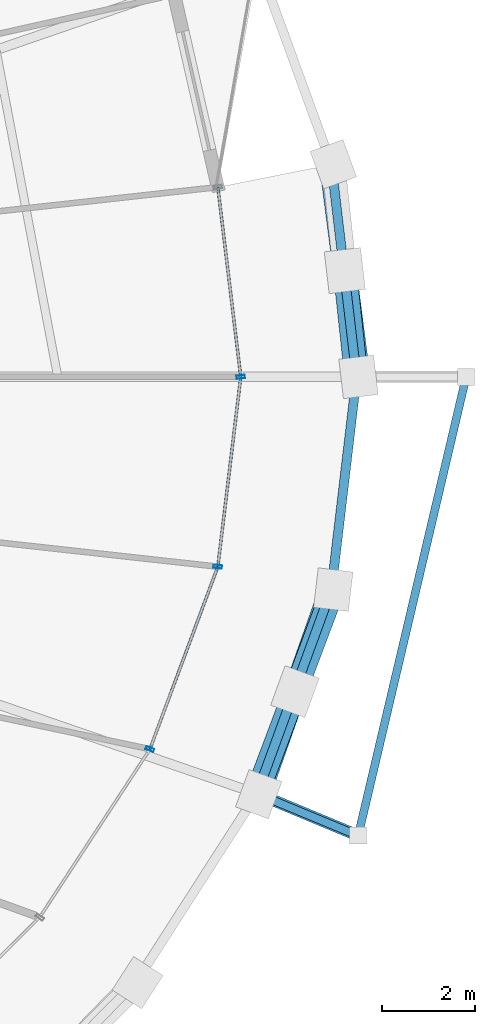
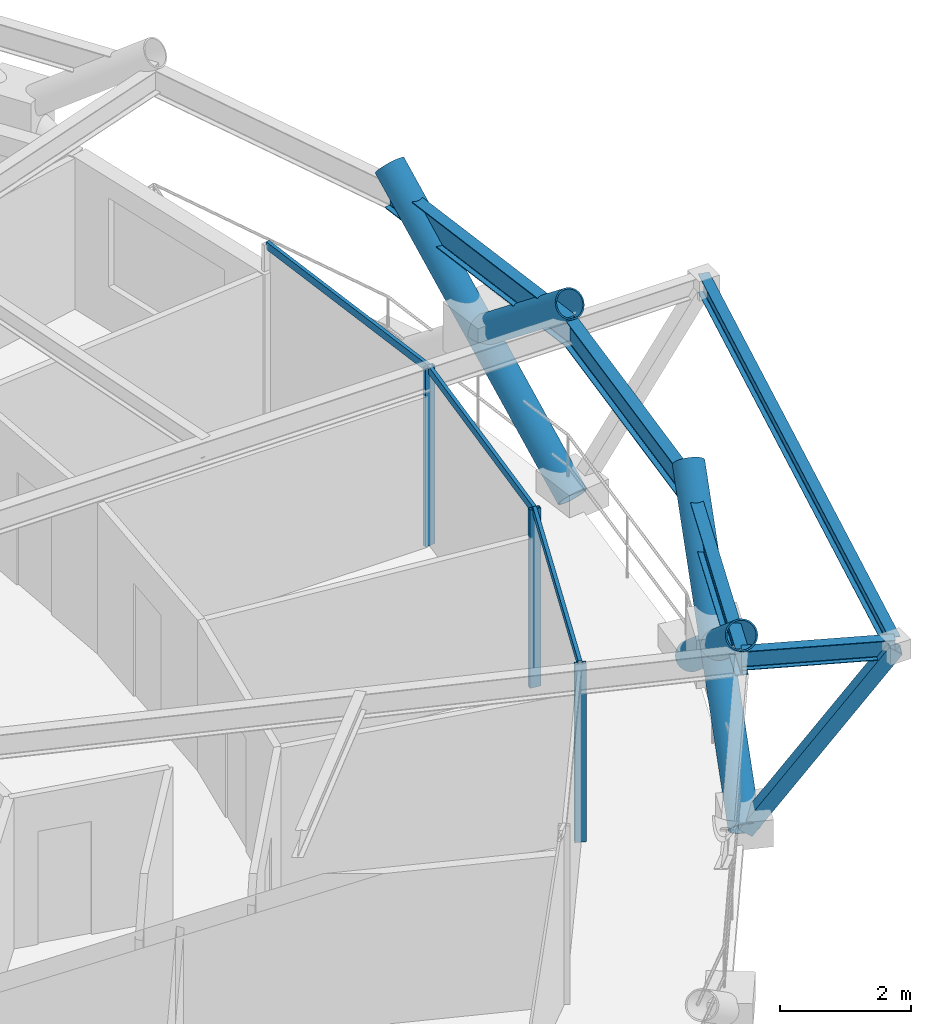
# One storey, part 10 of 20: 12 members, 5 beams, 1 element without a shape of its own.
"""IFC4 building model written with IfcOpenShell, lengths in metres."""

from ifc_helpers import new_model, si_unit, direction, frame, origin, origin_2d, place, context, subcontext, project, spatial, hollow_rectangle, hollow_circle, i_section, extrude, material, layer, layer_set, material_profile, profile_set, type_object, element, aggregate, save


model = new_model("IFC4")

# Units and contexts
model_context = context("Model", 3, precision=1e-05, world=origin(), true_north=direction((0.0, 1.0)))
body_context = subcontext(model_context, "Body", "Model", "MODEL_VIEW")
ifc_project = project(units=[si_unit("LENGTHUNIT", "METRE"), si_unit("AREAUNIT", "SQUARE_METRE"), si_unit("VOLUMEUNIT", "CUBIC_METRE"), si_unit("PLANEANGLEUNIT", "RADIAN"), si_unit("MASSUNIT", "GRAM", prefix="KILO")], contexts=[model_context])

# Site, building, storey
site_placement = place(None, origin())
site = spatial("IfcSite", under=ifc_project, at=site_placement, CompositionType="ELEMENT")
building_placement = place(site_placement, origin())
building = spatial("IfcBuilding", under=site, at=building_placement, Name="Veldorina Hangang Commons", CompositionType="ELEMENT")
storey_placement = place(building_placement, frame((0.0, 0.0, 171.199951171875)))
storey = spatial("IfcBuildingStorey", under=building, at=storey_placement, Name="L44", CompositionType="ELEMENT", Elevation=171.199951171875)

# Beams
ifc_material_1 = material(Name="Steel SM355-TMC", Category="steel")
ifc_material_profile_1 = material_profile(ifc_material_1, i_section(OverallWidth=0.175048828125, OverallDepth=0.35009765625, WebThickness=0.007080078125, FlangeThickness=0.010986328125, FilletRadius=0.012939453125, at=origin_2d()), Name="H-350x175x7x11")
ifc_profile_set_1 = profile_set([ifc_material_profile_1], Name="Steel SM355-TMC")
beam_type_1 = type_object("IfcBeamType", Name="BM-FG350", PredefinedType="BEAM", material=ifc_profile_set_1)
beam_1_placement = place(storey_placement, frame((57.86865234375, 15.08349609375, 3.175048828125), z_axis=(0.923864884479, -0.38271879393, 0.0), x_axis=(0.38271879393, 0.923864884479, 0.0)))
element("IfcBeam", 1, at=beam_1_placement, inside=storey, type_object=beam_type_1, Name="L45 tree balcony 2 bracket beam A", PredefinedType="BEAM", context=body_context, shape_type="SweptSolid", body=[
    extrude(i_section(OverallWidth=0.175048828125, OverallDepth=0.35009765625, WebThickness=0.007080078125, FlangeThickness=0.010986328125, FilletRadius=0.012939453125, at=origin_2d()), origin(), (0.0, 0.0, 1.0), 2.35009765625),
])
beam_2_placement = place(storey_placement, frame((60.039794921875, 14.18408203125, 3.175048828125), z_axis=(0.229102756478, 0.973402243152, 0.0), x_axis=(-0.973402243152, 0.229102756478, 0.0)))
element("IfcBeam", 2, at=beam_2_placement, inside=storey, type_object=beam_type_1, Name="L45 tree balcony 2 outer rim beam", PredefinedType="BEAM", context=body_context, shape_type="SweptSolid", body=[
    extrude(i_section(OverallWidth=0.175048828125, OverallDepth=0.35009765625, WebThickness=0.007080078125, FlangeThickness=0.010986328125, FilletRadius=0.012939453125, at=origin_2d()), origin(), (0.0, 0.0, 1.0), 10.084228515625),
])
ifc_material_2 = material(Name="Steel SM420-TMC", Category="steel")
ifc_material_profile_2 = material_profile(ifc_material_2, i_section(OverallWidth=0.199951171875, OverallDepth=0.5, WebThickness=0.010009765625, FlangeThickness=0.01611328125, FilletRadius=0.01611328125, at=origin_2d()), Name="H-500x200x10x16")
ifc_profile_set_2 = profile_set([ifc_material_profile_2], Name="Steel SM420-TMC")
beam_type_2 = type_object("IfcBeamType", Name="BM-RB500", PredefinedType="BEAM", material=ifc_profile_set_2)
beam_3_placement = place(storey_placement, frame((60.006591796875, 24.0, 3.10009765625), z_axis=(-0.117534297486, 0.993068823856, 0.0), x_axis=(-0.993068823856, -0.117534297486, 0.0)))
element("IfcBeam", 3, at=beam_3_placement, inside=storey, type_object=beam_type_2, Name="L44 perimeter hoop ring beam 00", PredefinedType="BEAM", context=body_context, shape_type="SweptSolid", body=[
    extrude(i_section(OverallWidth=0.199951171875, OverallDepth=0.5, WebThickness=0.010009765625, FlangeThickness=0.01611328125, FilletRadius=0.01611328125, at=origin_2d()), origin(), (0.0, 0.0, 1.0), 4.578125),
])
beam_4_placement = place(storey_placement, frame((57.874755859375, 15.081787109375, 3.10009765625), z_axis=(0.342501226622, 0.939517381299, 0.0), x_axis=(-0.939517381299, 0.342501226622, 0.0)))
element("IfcBeam", 4, at=beam_4_placement, inside=storey, type_object=beam_type_2, Name="L44 perimeter hoop ring beam 30", PredefinedType="BEAM", context=body_context, shape_type="SweptSolid", body=[
    extrude(i_section(OverallWidth=0.199951171875, OverallDepth=0.5, WebThickness=0.010009765625, FlangeThickness=0.01611328125, FilletRadius=0.01611328125, at=origin_2d()), origin(), (0.0, 0.0, 1.0), 4.6533203125),
])
beam_5_placement = place(storey_placement, frame((59.468505859375, 19.45361328125, 3.10009765625), z_axis=(0.117534297486, 0.993068823856, 0.0), x_axis=(-0.993068823856, 0.117534297486, 0.0)))
element("IfcBeam", 5, at=beam_5_placement, inside=storey, type_object=beam_type_2, Name="L44 perimeter hoop ring beam 31", PredefinedType="BEAM", context=body_context, shape_type="SweptSolid", body=[
    extrude(i_section(OverallWidth=0.199951171875, OverallDepth=0.5, WebThickness=0.010009765625, FlangeThickness=0.01611328125, FilletRadius=0.01611328125, at=origin_2d()), origin(), (0.0, 0.0, 1.0), 4.578125),
])

# Curtain wall, members
ifc_material_3 = material(Name="Glass Low-E Triple IGU", Category="glass")
ifc_layer = layer(ifc_material_3, 0.179931640625)
ifc_layer_set = layer_set([ifc_layer], Name="Glass Low-E Triple IGU")
curtain_wall_type = type_object("IfcCurtainWallType", Name="CW-SYS-Z2", PredefinedType="NOTDEFINED", material=ifc_layer_set)
curtain_wall_placement = place(storey_placement, origin())
curtain_wall = element("IfcCurtainWall", 6, at=curtain_wall_placement, inside=storey, type_object=curtain_wall_type, Name="L44 unitised curtain wall CW-L44-R2", PredefinedType="NOTDEFINED")
ifc_material_4 = material(Name="Aluminium Anodized AA6063-T6", Category="aluminium")
ifc_material_profile_3 = material_profile(ifc_material_4, hollow_rectangle(XDim=0.070068359375, YDim=0.179931640625, WallThickness=0.00390625, at=origin_2d()), Name="ALU-RHS-180x70x4")
ifc_profile_set_3 = profile_set([ifc_material_profile_3], Name="Aluminium Anodized AA6063-T6")
member_type_1 = type_object("IfcMemberType", Name="CW-MUL-180", PredefinedType="MULLION", material=ifc_profile_set_3)
member_1_placement = place(storey_placement, frame((55.584716796875, 16.034912109375, 0.0), z_axis=(0.0, 0.0, 1.0), x_axis=(0.348702913177, 0.937233310516, 0.0)))
member_1 = element("IfcMember", 7, at=member_1_placement, type_object=member_type_1, Name="CW-L44-R2 vertical mullion 3", PredefinedType="MULLION", context=body_context, shape_type="SweptSolid", body=[
    extrude(hollow_rectangle(XDim=0.070068359375, YDim=0.179931640625, WallThickness=0.00390625, at=origin_2d()), origin(), (0.0, 0.0, 1.0), 3.31005859375),
])
member_2_placement = place(storey_placement, frame((57.037353515625, 19.939453125, 0.0), z_axis=(0.0, 0.0, 1.0), x_axis=(0.11992891359, 0.992782481556, 0.0)))
member_2 = element("IfcMember", 8, at=member_2_placement, type_object=member_type_1, Name="CW-L44-R2 vertical mullion 4", PredefinedType="MULLION", context=body_context, shape_type="SweptSolid", body=[
    extrude(hollow_rectangle(XDim=0.070068359375, YDim=0.179931640625, WallThickness=0.00390625, at=origin_2d()), origin(), (0.0, 0.0, 1.0), 3.31005859375),
])
member_3_placement = place(storey_placement, frame((57.52783203125, 24.0, 0.0), z_axis=(0.0, 0.0, 1.0), x_axis=(-0.11992891359, 0.992782481556, 0.0)))
member_3 = element("IfcMember", 9, at=member_3_placement, type_object=member_type_1, Name="CW-L44-R2 vertical mullion 5", PredefinedType="MULLION", context=body_context, shape_type="SweptSolid", body=[
    extrude(hollow_rectangle(XDim=0.070068359375, YDim=0.179931640625, WallThickness=0.00390625, at=origin_2d()), origin(), (0.0, 0.0, 1.0), 3.31005859375),
])
ifc_material_profile_4 = material_profile(ifc_material_4, hollow_rectangle(XDim=0.06005859375, YDim=0.139892578125, WallThickness=0.00341796875, at=origin_2d()), Name="ALU-RHS-140x60x3.5")
ifc_profile_set_4 = profile_set([ifc_material_profile_4], Name="Aluminium Anodized AA6063-T6")
member_type_2 = type_object("IfcMemberType", Name="CW-TRN-140", PredefinedType="USERDEFINED", material=ifc_profile_set_4)
member_4_placement = place(storey_placement, frame((55.584716796875, 16.034912109375, 3.27001953125), z_axis=(0.348688221157, 0.937238776634, 0.0), x_axis=(-0.937238776634, 0.348688221157, 0.0)))
member_4 = element("IfcMember", 10, at=member_4_placement, type_object=member_type_2, Name="CW-L44-R2 facet 3 transom 1", ObjectType="TRANSOM", PredefinedType="USERDEFINED", context=body_context, shape_type="SweptSolid", body=[
    extrude(hollow_rectangle(XDim=0.06005859375, YDim=0.139892578125, WallThickness=0.00341796875, at=origin_2d()), origin(), (0.0, 0.0, 1.0), 4.166015625),
])
member_5_placement = place(storey_placement, frame((57.037353515625, 19.939453125, 3.27001953125), z_axis=(0.119919569093, 0.992783610334, 0.0), x_axis=(-0.992783610334, 0.119919569093, 0.0)))
member_5 = element("IfcMember", 11, at=member_5_placement, type_object=member_type_2, Name="CW-L44-R2 facet 4 transom 1", ObjectType="TRANSOM", PredefinedType="USERDEFINED", context=body_context, shape_type="SweptSolid", body=[
    extrude(hollow_rectangle(XDim=0.06005859375, YDim=0.139892578125, WallThickness=0.00341796875, at=origin_2d()), origin(), (0.0, 0.0, 1.0), 4.090087890625),
])
member_6_placement = place(storey_placement, frame((57.52783203125, 24.0, 3.27001953125), z_axis=(-0.119919569093, 0.992783610334, 0.0), x_axis=(-0.992783610334, -0.119919569093, 0.0)))
member_6 = element("IfcMember", 12, at=member_6_placement, type_object=member_type_2, Name="CW-L44-R2 facet 5 transom 1", ObjectType="TRANSOM", PredefinedType="USERDEFINED", context=body_context, shape_type="SweptSolid", body=[
    extrude(hollow_rectangle(XDim=0.06005859375, YDim=0.139892578125, WallThickness=0.00341796875, at=origin_2d()), origin(), (0.0, 0.0, 1.0), 4.090087890625),
])
aggregate(curtain_wall, [member_1, member_2, member_3, member_4, member_5, member_6])

# Members
ifc_material_profile_5 = material_profile(ifc_material_2, hollow_circle(Radius=0.25, WallThickness=0.02490234375, at=origin_2d()), Name="CHS-500x25")
ifc_profile_set_5 = profile_set([ifc_material_profile_5], Name="Steel SM420-TMC")
member_type_3 = type_object("IfcMemberType", Name="DG-CHS500", PredefinedType="BRACE", material=ifc_profile_set_5)
member_7_placement = place(storey_placement, frame((60.0478515625, 24.0, 0.0), z_axis=(-0.100536255394, 0.779951891322, 0.617711509181), x_axis=(-0.991794432964, -0.127842883029, 0.0)))
element("IfcMember", 13, at=member_7_placement, inside=storey, type_object=member_type_3, Name="L44 continuous perimeter diagrid brace 00", PredefinedType="BRACE", context=body_context, shape_type="SweptSolid", body=[
    extrude(hollow_circle(Radius=0.25, WallThickness=0.02490234375, at=origin_2d()), origin(), (0.0, 0.0, 1.0), 5.828125),
])
member_8_placement = place(storey_placement, frame((59.754638671875, 26.2744140625, 1.80126953125), z_axis=(0.084312405418, -0.781546635692, 0.618123187181), x_axis=(0.994231371847, 0.107256604627, 0.0)))
element("IfcMember", 14, at=member_8_placement, inside=storey, type_object=member_type_3, Name="L44 split perimeter diagrid upper brace 01", PredefinedType="BRACE", context=body_context, shape_type="SweptSolid", body=[
    extrude(hollow_circle(Radius=0.25, WallThickness=0.02490234375, at=origin_2d()), origin(), (0.0, 0.0, 1.0), 2.91015625),
])
member_9_placement = place(storey_placement, frame((57.912841796875, 15.07080078125, 0.0), z_axis=(0.263442353045, 0.745485807554, 0.612249162807), x_axis=(-0.94285938372, 0.333190910036, 0.0)))
element("IfcMember", 15, at=member_9_placement, inside=storey, type_object=member_type_3, Name="L44 continuous perimeter diagrid brace 30", PredefinedType="BRACE", context=body_context, shape_type="SweptSolid", body=[
    extrude(hollow_circle(Radius=0.25, WallThickness=0.02490234375, at=origin_2d()), origin(), (0.0, 0.0, 1.0), 5.880126953125),
])
member_10_placement = place(storey_placement, frame((59.5087890625, 19.447998046875, 0.0), z_axis=(-0.27847871581, -0.740925673088, 0.611129079491), x_axis=(0.936066582213, -0.351822900995, 0.0)))
element("IfcMember", 16, at=member_10_placement, inside=storey, type_object=member_type_3, Name="L44 split perimeter diagrid lower brace 31", PredefinedType="BRACE", context=body_context, shape_type="SweptSolid", body=[
    extrude(hollow_circle(Radius=0.25, WallThickness=0.02490234375, at=origin_2d()), origin(), (0.0, 0.0, 1.0), 2.947509765625),
])
member_11_placement = place(storey_placement, frame((58.68798828125, 17.26416015625, 1.80126953125), z_axis=(-0.278383277712, -0.740917591335, 0.611182357026), x_axis=(0.936105023413, -0.351720606647, 0.0)))
element("IfcMember", 17, at=member_11_placement, inside=storey, type_object=member_type_3, Name="L44 split perimeter diagrid upper brace 31", PredefinedType="BRACE", context=body_context, shape_type="SweptSolid", body=[
    extrude(hollow_circle(Radius=0.25, WallThickness=0.02490234375, at=origin_2d()), origin(), (0.0, 0.0, 1.0), 2.943115234375),
])
ifc_material_profile_6 = material_profile(ifc_material_1, hollow_rectangle(XDim=0.25, YDim=0.25, WallThickness=0.011962890625, at=origin_2d()), Name="SHS-250x250x12")
ifc_profile_set_6 = profile_set([ifc_material_profile_6], Name="Steel SM355-TMC")
member_type_4 = type_object("IfcMemberType", Name="STR-SHS250", PredefinedType="STRUT", material=ifc_profile_set_6)
member_12_placement = place(storey_placement, frame((57.912841796875, 15.07080078125, 0.0), z_axis=(0.542153914523, -0.226021925797, 0.809310337279), x_axis=(0.384795924312, 0.923001677481, 0.0)))
element("IfcMember", 18, at=member_12_placement, inside=storey, type_object=member_type_4, Name="L45 tree balcony 2 raking knee strut A", PredefinedType="STRUT", context=body_context, shape_type="SweptSolid", body=[
    extrude(hollow_rectangle(XDim=0.25, YDim=0.25, WallThickness=0.011962890625, at=origin_2d()), origin(), (0.0, 0.0, 1.0), 3.923095703125),
])

save(model, "model.ifc")
